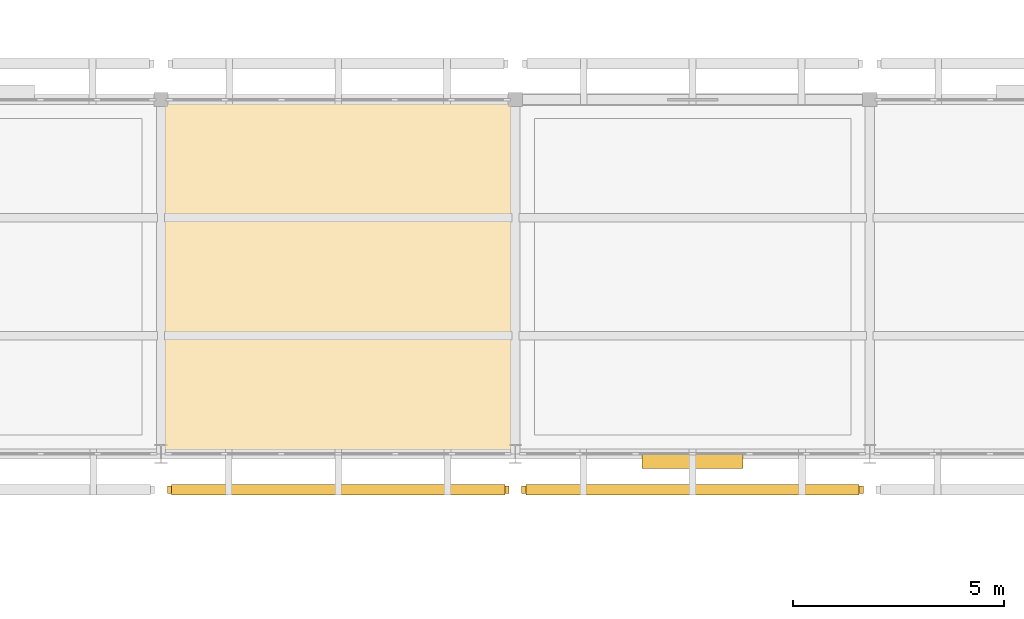
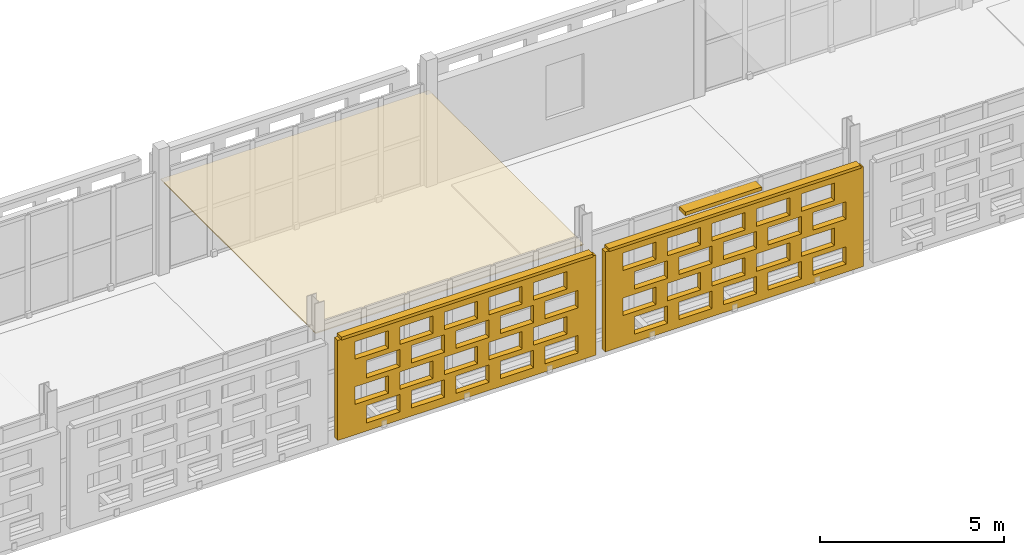
# One storey, part 120 of 140: 3 coverings, 3 shading devices, 40 openings.
"""IFC4 building model written with IfcOpenShell, lengths in metres."""

from ifc_helpers import new_model, si_unit, direction, frame, frame_2d, origin, origin_2d, place, context, subcontext, project, spatial, rectangle, extrude, material, layer, layer_set, type_object, element, save


model = new_model("IFC4")

# Units and contexts
model_context = context("Model", 3, precision=1e-05, world=origin(), true_north=direction((0.0, 1.0)))
body_context = subcontext(model_context, "Body", "Model", "MODEL_VIEW")
ifc_project = project(units=[si_unit("LENGTHUNIT", "METRE"), si_unit("AREAUNIT", "SQUARE_METRE"), si_unit("VOLUMEUNIT", "CUBIC_METRE"), si_unit("PLANEANGLEUNIT", "RADIAN"), si_unit("MASSUNIT", "GRAM", prefix="KILO")], contexts=[model_context])

# Site, building, storey
site_placement = place(None, origin())
site = spatial("IfcSite", under=ifc_project, at=site_placement, CompositionType="ELEMENT")
building_placement = place(site_placement, origin())
building = spatial("IfcBuilding", under=site, at=building_placement, Name="Varnapada Polytechnic", CompositionType="ELEMENT")
storey_placement = place(building_placement, frame((0.0, 0.0, 13.800048828125)))
storey = spatial("IfcBuildingStorey", under=building, at=storey_placement, Name="L03", CompositionType="ELEMENT", Elevation=13.800048828125)

# Shading device
ifc_material_1 = material(Name="Anodised aluminium", Category="aluminium")
ifc_layer_1 = layer(ifc_material_1, 0.35009765625)
ifc_layer_set_1 = layer_set([ifc_layer_1], Name="Anodised aluminium")
shading_device_type_1 = type_object("IfcShadingDeviceType", Name="Solar Louvre LVR-01", PredefinedType="JALOUSIE", material=ifc_layer_set_1)
shading_device_placement = place(storey_placement, frame((88.199951171875, 83.820068359375, 3.159912109375), z_axis=(0.0, 0.0, 1.0), x_axis=(-1.0, 0.0, 0.0)))
element("IfcShadingDevice", 1, at=shading_device_placement, inside=storey, type_object=shading_device_type_1, Name="L03 aluminium sun louvre 58", PredefinedType="JALOUSIE", context=body_context, shape_type="SweptSolid", body=[
    extrude(rectangle(XDim=2.39990234375, YDim=0.340087890625, at=origin_2d()), origin(), (0.0, 0.0, 1.0), 0.1201171875),
])

# Covering
ifc_material_2 = material(Name="Cleanroom Laboratory Metal Pan Ceiling")
ifc_layer_2 = layer(ifc_material_2, 0.034912109375)
ifc_layer_set_2 = layer_set([ifc_layer_2], Name="Cleanroom Laboratory Metal Pan Ceiling")
covering_type_1 = type_object("IfcCoveringType", Name="Suspended Ceiling CLG-06", PredefinedType="CEILING", material=ifc_layer_set_2)
covering_1_placement = place(storey_placement, frame((79.800048828125, 88.199951171875, 3.03271484375), z_axis=(0.0, 0.0, 1.0), x_axis=(1.0, 0.0, 0.0)))
element("IfcCovering", 2, at=covering_1_placement, inside=storey, type_object=covering_type_1, Name="L03 suspended acoustic ceiling (10,11)", PredefinedType="CEILING", context=body_context, shape_type="SweptSolid", body=[
    extrude(rectangle(XDim=8.419921875, YDim=8.419921875, at=origin_2d()), origin(), (0.0, 0.0, 1.0), 0.034912109375),
])

# Covering, openings
ifc_material_3 = material(Name="Earth-toned architectural terracotta screen block", Category="masonry")
ifc_layer_3 = layer(ifc_material_3, 0.1201171875)
ifc_layer_set_3 = layer_set([ifc_layer_3], Name="Earth-toned architectural terracotta screen block")
covering_type_2 = type_object("IfcCoveringType", Name="Terracotta Screen Cladding CLD-01", PredefinedType="CLADDING", material=ifc_layer_set_3)
covering_2_placement = place(storey_placement, frame((83.85009765625, 83.14990234375, 0.0), z_axis=(0.0, 0.0, 1.0), x_axis=(-1.0, 0.0, 0.0)))
covering_2 = element("IfcCovering", 3, at=covering_2_placement, inside=storey, type_object=covering_type_2, Name="L03 perforated terracotta block screen (56)", PredefinedType="CLADDING", context=body_context, shape_type="SweptSolid", body=[
    extrude(rectangle(XDim=8.10009765625, YDim=0.179931640625, at=frame_2d((4.050048828125, 0.0))), origin(), (0.0, 0.0, 1.0), 3.320068359375),
])
opening_1_placement = place(covering_2_placement, frame((0.550048828125, 0.0, 0.265625)))
element("IfcOpeningElement", 4, at=opening_1_placement, cuts=covering_2, Name="Screen perforation TBS-L03-055.1", PredefinedType="OPENING", context=body_context, shape_type="SweptSolid", body=[
    extrude(rectangle(XDim=1.0400390625, YDim=0.5810546875, at=frame_2d((0.52001953125, 0.29052734375))), frame((0.0, 0.099853515625, 0.0), z_axis=(0.0, -1.0, 0.0), x_axis=(1.0, 0.0, 0.0)), (0.0, 0.0, 1.0), 0.199951171875),
])
opening_2_placement = place(covering_2_placement, frame((1.949951171875, 0.0, 0.265625)))
element("IfcOpeningElement", 5, at=opening_2_placement, cuts=covering_2, Name="Screen perforation TBS-L03-055.2", PredefinedType="OPENING", context=body_context, shape_type="SweptSolid", body=[
    extrude(rectangle(XDim=1.0400390625, YDim=0.5810546875, at=frame_2d((0.52001953125, 0.29052734375))), frame((0.0, 0.099853515625, 0.0), z_axis=(0.0, -1.0, 0.0), x_axis=(1.0, 0.0, 0.0)), (0.0, 0.0, 1.0), 0.199951171875),
])
opening_3_placement = place(covering_2_placement, frame((3.35009765625, 0.0, 0.265625)))
element("IfcOpeningElement", 6, at=opening_3_placement, cuts=covering_2, Name="Screen perforation TBS-L03-055.3", PredefinedType="OPENING", context=body_context, shape_type="SweptSolid", body=[
    extrude(rectangle(XDim=1.0400390625, YDim=0.5810546875, at=frame_2d((0.52001953125, 0.29052734375))), frame((0.0, 0.099853515625, 0.0), z_axis=(0.0, -1.0, 0.0), x_axis=(1.0, 0.0, 0.0)), (0.0, 0.0, 1.0), 0.199951171875),
])
opening_4_placement = place(covering_2_placement, frame((4.75, 0.0, 0.265625)))
element("IfcOpeningElement", 7, at=opening_4_placement, cuts=covering_2, Name="Screen perforation TBS-L03-055.4", PredefinedType="OPENING", context=body_context, shape_type="SweptSolid", body=[
    extrude(rectangle(XDim=1.0400390625, YDim=0.5810546875, at=frame_2d((0.52001953125, 0.29052734375))), frame((0.0, 0.099853515625, 0.0), z_axis=(0.0, -1.0, 0.0), x_axis=(1.0, 0.0, 0.0)), (0.0, 0.0, 1.0), 0.199951171875),
])
opening_5_placement = place(covering_2_placement, frame((6.14990234375, 0.0, 0.265625)))
element("IfcOpeningElement", 8, at=opening_5_placement, cuts=covering_2, Name="Screen perforation TBS-L03-055.5", PredefinedType="OPENING", context=body_context, shape_type="SweptSolid", body=[
    extrude(rectangle(XDim=1.0400390625, YDim=0.5810546875, at=frame_2d((0.52001953125, 0.29052734375))), frame((0.0, 0.099853515625, 0.0), z_axis=(0.0, -1.0, 0.0), x_axis=(1.0, 0.0, 0.0)), (0.0, 0.0, 1.0), 0.199951171875),
])
opening_6_placement = place(covering_2_placement, frame((0.909912109375, 0.0, 1.0126953125)))
element("IfcOpeningElement", 9, at=opening_6_placement, cuts=covering_2, Name="Screen perforation TBS-L03-055.6", PredefinedType="OPENING", context=body_context, shape_type="SweptSolid", body=[
    extrude(rectangle(XDim=1.0400390625, YDim=0.5810546875, at=frame_2d((0.52001953125, 0.29052734375))), frame((0.0, 0.099853515625, 0.0), z_axis=(0.0, -1.0, 0.0), x_axis=(1.0, 0.0, 0.0)), (0.0, 0.0, 1.0), 0.199951171875),
])
opening_7_placement = place(covering_2_placement, frame((2.31005859375, 0.0, 1.0126953125)))
element("IfcOpeningElement", 10, at=opening_7_placement, cuts=covering_2, Name="Screen perforation TBS-L03-055.7", PredefinedType="OPENING", context=body_context, shape_type="SweptSolid", body=[
    extrude(rectangle(XDim=1.0400390625, YDim=0.5810546875, at=frame_2d((0.52001953125, 0.29052734375))), frame((0.0, 0.099853515625, 0.0), z_axis=(0.0, -1.0, 0.0), x_axis=(1.0, 0.0, 0.0)), (0.0, 0.0, 1.0), 0.199951171875),
])
opening_8_placement = place(covering_2_placement, frame((3.7099609375, 0.0, 1.0126953125)))
element("IfcOpeningElement", 11, at=opening_8_placement, cuts=covering_2, Name="Screen perforation TBS-L03-055.8", PredefinedType="OPENING", context=body_context, shape_type="SweptSolid", body=[
    extrude(rectangle(XDim=1.0400390625, YDim=0.5810546875, at=frame_2d((0.52001953125, 0.29052734375))), frame((0.0, 0.099853515625, 0.0), z_axis=(0.0, -1.0, 0.0), x_axis=(1.0, 0.0, 0.0)), (0.0, 0.0, 1.0), 0.199951171875),
])
opening_9_placement = place(covering_2_placement, frame((5.110107421875, 0.0, 1.0126953125)))
element("IfcOpeningElement", 12, at=opening_9_placement, cuts=covering_2, Name="Screen perforation TBS-L03-055.9", PredefinedType="OPENING", context=body_context, shape_type="SweptSolid", body=[
    extrude(rectangle(XDim=1.0400390625, YDim=0.5810546875, at=frame_2d((0.52001953125, 0.29052734375))), frame((0.0, 0.099853515625, 0.0), z_axis=(0.0, -1.0, 0.0), x_axis=(1.0, 0.0, 0.0)), (0.0, 0.0, 1.0), 0.199951171875),
])
opening_10_placement = place(covering_2_placement, frame((6.510009765625, 0.0, 1.0126953125)))
element("IfcOpeningElement", 13, at=opening_10_placement, cuts=covering_2, Name="Screen perforation TBS-L03-055.10", PredefinedType="OPENING", context=body_context, shape_type="SweptSolid", body=[
    extrude(rectangle(XDim=1.0400390625, YDim=0.5810546875, at=frame_2d((0.52001953125, 0.29052734375))), frame((0.0, 0.099853515625, 0.0), z_axis=(0.0, -1.0, 0.0), x_axis=(1.0, 0.0, 0.0)), (0.0, 0.0, 1.0), 0.199951171875),
])
opening_11_placement = place(covering_2_placement, frame((0.550048828125, 0.0, 1.759521484375)))
element("IfcOpeningElement", 14, at=opening_11_placement, cuts=covering_2, Name="Screen perforation TBS-L03-055.11", PredefinedType="OPENING", context=body_context, shape_type="SweptSolid", body=[
    extrude(rectangle(XDim=1.0400390625, YDim=0.5810546875, at=frame_2d((0.52001953125, 0.29052734375))), frame((0.0, 0.099853515625, 0.0), z_axis=(0.0, -1.0, 0.0), x_axis=(1.0, 0.0, 0.0)), (0.0, 0.0, 1.0), 0.199951171875),
])
opening_12_placement = place(covering_2_placement, frame((1.949951171875, 0.0, 1.759521484375)))
element("IfcOpeningElement", 15, at=opening_12_placement, cuts=covering_2, Name="Screen perforation TBS-L03-055.12", PredefinedType="OPENING", context=body_context, shape_type="SweptSolid", body=[
    extrude(rectangle(XDim=1.0400390625, YDim=0.5810546875, at=frame_2d((0.52001953125, 0.29052734375))), frame((0.0, 0.099853515625, 0.0), z_axis=(0.0, -1.0, 0.0), x_axis=(1.0, 0.0, 0.0)), (0.0, 0.0, 1.0), 0.199951171875),
])
opening_13_placement = place(covering_2_placement, frame((3.35009765625, 0.0, 1.759521484375)))
element("IfcOpeningElement", 16, at=opening_13_placement, cuts=covering_2, Name="Screen perforation TBS-L03-055.13", PredefinedType="OPENING", context=body_context, shape_type="SweptSolid", body=[
    extrude(rectangle(XDim=1.0400390625, YDim=0.5810546875, at=frame_2d((0.52001953125, 0.29052734375))), frame((0.0, 0.099853515625, 0.0), z_axis=(0.0, -1.0, 0.0), x_axis=(1.0, 0.0, 0.0)), (0.0, 0.0, 1.0), 0.199951171875),
])
opening_14_placement = place(covering_2_placement, frame((4.75, 0.0, 1.759521484375)))
element("IfcOpeningElement", 17, at=opening_14_placement, cuts=covering_2, Name="Screen perforation TBS-L03-055.14", PredefinedType="OPENING", context=body_context, shape_type="SweptSolid", body=[
    extrude(rectangle(XDim=1.0400390625, YDim=0.5810546875, at=frame_2d((0.52001953125, 0.29052734375))), frame((0.0, 0.099853515625, 0.0), z_axis=(0.0, -1.0, 0.0), x_axis=(1.0, 0.0, 0.0)), (0.0, 0.0, 1.0), 0.199951171875),
])
opening_15_placement = place(covering_2_placement, frame((6.14990234375, 0.0, 1.759521484375)))
element("IfcOpeningElement", 18, at=opening_15_placement, cuts=covering_2, Name="Screen perforation TBS-L03-055.15", PredefinedType="OPENING", context=body_context, shape_type="SweptSolid", body=[
    extrude(rectangle(XDim=1.0400390625, YDim=0.5810546875, at=frame_2d((0.52001953125, 0.29052734375))), frame((0.0, 0.099853515625, 0.0), z_axis=(0.0, -1.0, 0.0), x_axis=(1.0, 0.0, 0.0)), (0.0, 0.0, 1.0), 0.199951171875),
])
opening_16_placement = place(covering_2_placement, frame((0.909912109375, 0.0, 2.506591796875)))
element("IfcOpeningElement", 19, at=opening_16_placement, cuts=covering_2, Name="Screen perforation TBS-L03-055.16", PredefinedType="OPENING", context=body_context, shape_type="SweptSolid", body=[
    extrude(rectangle(XDim=1.0400390625, YDim=0.5810546875, at=frame_2d((0.52001953125, 0.29052734375))), frame((0.0, 0.099853515625, 0.0), z_axis=(0.0, -1.0, 0.0), x_axis=(1.0, 0.0, 0.0)), (0.0, 0.0, 1.0), 0.199951171875),
])
opening_17_placement = place(covering_2_placement, frame((2.31005859375, 0.0, 2.506591796875)))
element("IfcOpeningElement", 20, at=opening_17_placement, cuts=covering_2, Name="Screen perforation TBS-L03-055.17", PredefinedType="OPENING", context=body_context, shape_type="SweptSolid", body=[
    extrude(rectangle(XDim=1.0400390625, YDim=0.5810546875, at=frame_2d((0.52001953125, 0.29052734375))), frame((0.0, 0.099853515625, 0.0), z_axis=(0.0, -1.0, 0.0), x_axis=(1.0, 0.0, 0.0)), (0.0, 0.0, 1.0), 0.199951171875),
])
opening_18_placement = place(covering_2_placement, frame((3.7099609375, 0.0, 2.506591796875)))
element("IfcOpeningElement", 21, at=opening_18_placement, cuts=covering_2, Name="Screen perforation TBS-L03-055.18", PredefinedType="OPENING", context=body_context, shape_type="SweptSolid", body=[
    extrude(rectangle(XDim=1.0400390625, YDim=0.5810546875, at=frame_2d((0.52001953125, 0.29052734375))), frame((0.0, 0.099853515625, 0.0), z_axis=(0.0, -1.0, 0.0), x_axis=(1.0, 0.0, 0.0)), (0.0, 0.0, 1.0), 0.199951171875),
])
opening_19_placement = place(covering_2_placement, frame((5.110107421875, 0.0, 2.506591796875)))
element("IfcOpeningElement", 22, at=opening_19_placement, cuts=covering_2, Name="Screen perforation TBS-L03-055.19", PredefinedType="OPENING", context=body_context, shape_type="SweptSolid", body=[
    extrude(rectangle(XDim=1.0400390625, YDim=0.5810546875, at=frame_2d((0.52001953125, 0.29052734375))), frame((0.0, 0.099853515625, 0.0), z_axis=(0.0, -1.0, 0.0), x_axis=(1.0, 0.0, 0.0)), (0.0, 0.0, 1.0), 0.199951171875),
])
opening_20_placement = place(covering_2_placement, frame((6.510009765625, 0.0, 2.506591796875)))
element("IfcOpeningElement", 23, at=opening_20_placement, cuts=covering_2, Name="Screen perforation TBS-L03-055.20", PredefinedType="OPENING", context=body_context, shape_type="SweptSolid", body=[
    extrude(rectangle(XDim=1.0400390625, YDim=0.5810546875, at=frame_2d((0.52001953125, 0.29052734375))), frame((0.0, 0.099853515625, 0.0), z_axis=(0.0, -1.0, 0.0), x_axis=(1.0, 0.0, 0.0)), (0.0, 0.0, 1.0), 0.199951171875),
])

covering_3_placement = place(storey_placement, frame((92.25, 83.14990234375, 0.0), z_axis=(0.0, 0.0, 1.0), x_axis=(-1.0, 0.0, 0.0)))
covering_3 = element("IfcCovering", 24, at=covering_3_placement, inside=storey, type_object=covering_type_2, Name="L03 perforated terracotta block screen (58)", PredefinedType="CLADDING", context=body_context, shape_type="SweptSolid", body=[
    extrude(rectangle(XDim=8.10009765625, YDim=0.179931640625, at=frame_2d((4.050048828125, 0.0))), origin(), (0.0, 0.0, 1.0), 3.320068359375),
])
opening_21_placement = place(covering_3_placement, frame((0.550048828125, 0.0, 0.265625)))
element("IfcOpeningElement", 25, at=opening_21_placement, cuts=covering_3, Name="Screen perforation TBS-L03-057.1", PredefinedType="OPENING", context=body_context, shape_type="SweptSolid", body=[
    extrude(rectangle(XDim=1.0400390625, YDim=0.5810546875, at=frame_2d((0.52001953125, 0.29052734375))), frame((0.0, 0.099853515625, 0.0), z_axis=(0.0, -1.0, 0.0), x_axis=(1.0, 0.0, 0.0)), (0.0, 0.0, 1.0), 0.199951171875),
])
opening_22_placement = place(covering_3_placement, frame((1.949951171875, 0.0, 0.265625)))
element("IfcOpeningElement", 26, at=opening_22_placement, cuts=covering_3, Name="Screen perforation TBS-L03-057.2", PredefinedType="OPENING", context=body_context, shape_type="SweptSolid", body=[
    extrude(rectangle(XDim=1.0400390625, YDim=0.5810546875, at=frame_2d((0.52001953125, 0.29052734375))), frame((0.0, 0.099853515625, 0.0), z_axis=(0.0, -1.0, 0.0), x_axis=(1.0, 0.0, 0.0)), (0.0, 0.0, 1.0), 0.199951171875),
])
opening_23_placement = place(covering_3_placement, frame((3.35009765625, 0.0, 0.265625)))
element("IfcOpeningElement", 27, at=opening_23_placement, cuts=covering_3, Name="Screen perforation TBS-L03-057.3", PredefinedType="OPENING", context=body_context, shape_type="SweptSolid", body=[
    extrude(rectangle(XDim=1.0400390625, YDim=0.5810546875, at=frame_2d((0.52001953125, 0.29052734375))), frame((0.0, 0.099853515625, 0.0), z_axis=(0.0, -1.0, 0.0), x_axis=(1.0, 0.0, 0.0)), (0.0, 0.0, 1.0), 0.199951171875),
])
opening_24_placement = place(covering_3_placement, frame((4.75, 0.0, 0.265625)))
element("IfcOpeningElement", 28, at=opening_24_placement, cuts=covering_3, Name="Screen perforation TBS-L03-057.4", PredefinedType="OPENING", context=body_context, shape_type="SweptSolid", body=[
    extrude(rectangle(XDim=1.0400390625, YDim=0.5810546875, at=frame_2d((0.52001953125, 0.29052734375))), frame((0.0, 0.099853515625, 0.0), z_axis=(0.0, -1.0, 0.0), x_axis=(1.0, 0.0, 0.0)), (0.0, 0.0, 1.0), 0.199951171875),
])
opening_25_placement = place(covering_3_placement, frame((6.14990234375, 0.0, 0.265625)))
element("IfcOpeningElement", 29, at=opening_25_placement, cuts=covering_3, Name="Screen perforation TBS-L03-057.5", PredefinedType="OPENING", context=body_context, shape_type="SweptSolid", body=[
    extrude(rectangle(XDim=1.0400390625, YDim=0.5810546875, at=frame_2d((0.52001953125, 0.29052734375))), frame((0.0, 0.099853515625, 0.0), z_axis=(0.0, -1.0, 0.0), x_axis=(1.0, 0.0, 0.0)), (0.0, 0.0, 1.0), 0.199951171875),
])
opening_26_placement = place(covering_3_placement, frame((0.909912109375, 0.0, 1.0126953125)))
element("IfcOpeningElement", 30, at=opening_26_placement, cuts=covering_3, Name="Screen perforation TBS-L03-057.6", PredefinedType="OPENING", context=body_context, shape_type="SweptSolid", body=[
    extrude(rectangle(XDim=1.0400390625, YDim=0.5810546875, at=frame_2d((0.52001953125, 0.29052734375))), frame((0.0, 0.099853515625, 0.0), z_axis=(0.0, -1.0, 0.0), x_axis=(1.0, 0.0, 0.0)), (0.0, 0.0, 1.0), 0.199951171875),
])
opening_27_placement = place(covering_3_placement, frame((2.31005859375, 0.0, 1.0126953125)))
element("IfcOpeningElement", 31, at=opening_27_placement, cuts=covering_3, Name="Screen perforation TBS-L03-057.7", PredefinedType="OPENING", context=body_context, shape_type="SweptSolid", body=[
    extrude(rectangle(XDim=1.0400390625, YDim=0.5810546875, at=frame_2d((0.52001953125, 0.29052734375))), frame((0.0, 0.099853515625, 0.0), z_axis=(0.0, -1.0, 0.0), x_axis=(1.0, 0.0, 0.0)), (0.0, 0.0, 1.0), 0.199951171875),
])
opening_28_placement = place(covering_3_placement, frame((3.7099609375, 0.0, 1.0126953125)))
element("IfcOpeningElement", 32, at=opening_28_placement, cuts=covering_3, Name="Screen perforation TBS-L03-057.8", PredefinedType="OPENING", context=body_context, shape_type="SweptSolid", body=[
    extrude(rectangle(XDim=1.0400390625, YDim=0.5810546875, at=frame_2d((0.52001953125, 0.29052734375))), frame((0.0, 0.099853515625, 0.0), z_axis=(0.0, -1.0, 0.0), x_axis=(1.0, 0.0, 0.0)), (0.0, 0.0, 1.0), 0.199951171875),
])
opening_29_placement = place(covering_3_placement, frame((5.110107421875, 0.0, 1.0126953125)))
element("IfcOpeningElement", 33, at=opening_29_placement, cuts=covering_3, Name="Screen perforation TBS-L03-057.9", PredefinedType="OPENING", context=body_context, shape_type="SweptSolid", body=[
    extrude(rectangle(XDim=1.0400390625, YDim=0.5810546875, at=frame_2d((0.52001953125, 0.29052734375))), frame((0.0, 0.099853515625, 0.0), z_axis=(0.0, -1.0, 0.0), x_axis=(1.0, 0.0, 0.0)), (0.0, 0.0, 1.0), 0.199951171875),
])
opening_30_placement = place(covering_3_placement, frame((6.510009765625, 0.0, 1.0126953125)))
element("IfcOpeningElement", 34, at=opening_30_placement, cuts=covering_3, Name="Screen perforation TBS-L03-057.10", PredefinedType="OPENING", context=body_context, shape_type="SweptSolid", body=[
    extrude(rectangle(XDim=1.0400390625, YDim=0.5810546875, at=frame_2d((0.52001953125, 0.29052734375))), frame((0.0, 0.099853515625, 0.0), z_axis=(0.0, -1.0, 0.0), x_axis=(1.0, 0.0, 0.0)), (0.0, 0.0, 1.0), 0.199951171875),
])
opening_31_placement = place(covering_3_placement, frame((0.550048828125, 0.0, 1.759521484375)))
element("IfcOpeningElement", 35, at=opening_31_placement, cuts=covering_3, Name="Screen perforation TBS-L03-057.11", PredefinedType="OPENING", context=body_context, shape_type="SweptSolid", body=[
    extrude(rectangle(XDim=1.0400390625, YDim=0.5810546875, at=frame_2d((0.52001953125, 0.29052734375))), frame((0.0, 0.099853515625, 0.0), z_axis=(0.0, -1.0, 0.0), x_axis=(1.0, 0.0, 0.0)), (0.0, 0.0, 1.0), 0.199951171875),
])
opening_32_placement = place(covering_3_placement, frame((1.949951171875, 0.0, 1.759521484375)))
element("IfcOpeningElement", 36, at=opening_32_placement, cuts=covering_3, Name="Screen perforation TBS-L03-057.12", PredefinedType="OPENING", context=body_context, shape_type="SweptSolid", body=[
    extrude(rectangle(XDim=1.0400390625, YDim=0.5810546875, at=frame_2d((0.52001953125, 0.29052734375))), frame((0.0, 0.099853515625, 0.0), z_axis=(0.0, -1.0, 0.0), x_axis=(1.0, 0.0, 0.0)), (0.0, 0.0, 1.0), 0.199951171875),
])
opening_33_placement = place(covering_3_placement, frame((3.35009765625, 0.0, 1.759521484375)))
element("IfcOpeningElement", 37, at=opening_33_placement, cuts=covering_3, Name="Screen perforation TBS-L03-057.13", PredefinedType="OPENING", context=body_context, shape_type="SweptSolid", body=[
    extrude(rectangle(XDim=1.0400390625, YDim=0.5810546875, at=frame_2d((0.52001953125, 0.29052734375))), frame((0.0, 0.099853515625, 0.0), z_axis=(0.0, -1.0, 0.0), x_axis=(1.0, 0.0, 0.0)), (0.0, 0.0, 1.0), 0.199951171875),
])
opening_34_placement = place(covering_3_placement, frame((4.75, 0.0, 1.759521484375)))
element("IfcOpeningElement", 38, at=opening_34_placement, cuts=covering_3, Name="Screen perforation TBS-L03-057.14", PredefinedType="OPENING", context=body_context, shape_type="SweptSolid", body=[
    extrude(rectangle(XDim=1.0400390625, YDim=0.5810546875, at=frame_2d((0.52001953125, 0.29052734375))), frame((0.0, 0.099853515625, 0.0), z_axis=(0.0, -1.0, 0.0), x_axis=(1.0, 0.0, 0.0)), (0.0, 0.0, 1.0), 0.199951171875),
])
opening_35_placement = place(covering_3_placement, frame((6.14990234375, 0.0, 1.759521484375)))
element("IfcOpeningElement", 39, at=opening_35_placement, cuts=covering_3, Name="Screen perforation TBS-L03-057.15", PredefinedType="OPENING", context=body_context, shape_type="SweptSolid", body=[
    extrude(rectangle(XDim=1.0400390625, YDim=0.5810546875, at=frame_2d((0.52001953125, 0.29052734375))), frame((0.0, 0.099853515625, 0.0), z_axis=(0.0, -1.0, 0.0), x_axis=(1.0, 0.0, 0.0)), (0.0, 0.0, 1.0), 0.199951171875),
])
opening_36_placement = place(covering_3_placement, frame((0.909912109375, 0.0, 2.506591796875)))
element("IfcOpeningElement", 40, at=opening_36_placement, cuts=covering_3, Name="Screen perforation TBS-L03-057.16", PredefinedType="OPENING", context=body_context, shape_type="SweptSolid", body=[
    extrude(rectangle(XDim=1.0400390625, YDim=0.5810546875, at=frame_2d((0.52001953125, 0.29052734375))), frame((0.0, 0.099853515625, 0.0), z_axis=(0.0, -1.0, 0.0), x_axis=(1.0, 0.0, 0.0)), (0.0, 0.0, 1.0), 0.199951171875),
])
opening_37_placement = place(covering_3_placement, frame((2.31005859375, 0.0, 2.506591796875)))
element("IfcOpeningElement", 41, at=opening_37_placement, cuts=covering_3, Name="Screen perforation TBS-L03-057.17", PredefinedType="OPENING", context=body_context, shape_type="SweptSolid", body=[
    extrude(rectangle(XDim=1.0400390625, YDim=0.5810546875, at=frame_2d((0.52001953125, 0.29052734375))), frame((0.0, 0.099853515625, 0.0), z_axis=(0.0, -1.0, 0.0), x_axis=(1.0, 0.0, 0.0)), (0.0, 0.0, 1.0), 0.199951171875),
])
opening_38_placement = place(covering_3_placement, frame((3.7099609375, 0.0, 2.506591796875)))
element("IfcOpeningElement", 42, at=opening_38_placement, cuts=covering_3, Name="Screen perforation TBS-L03-057.18", PredefinedType="OPENING", context=body_context, shape_type="SweptSolid", body=[
    extrude(rectangle(XDim=1.0400390625, YDim=0.5810546875, at=frame_2d((0.52001953125, 0.29052734375))), frame((0.0, 0.099853515625, 0.0), z_axis=(0.0, -1.0, 0.0), x_axis=(1.0, 0.0, 0.0)), (0.0, 0.0, 1.0), 0.199951171875),
])
opening_39_placement = place(covering_3_placement, frame((5.110107421875, 0.0, 2.506591796875)))
element("IfcOpeningElement", 43, at=opening_39_placement, cuts=covering_3, Name="Screen perforation TBS-L03-057.19", PredefinedType="OPENING", context=body_context, shape_type="SweptSolid", body=[
    extrude(rectangle(XDim=1.0400390625, YDim=0.5810546875, at=frame_2d((0.52001953125, 0.29052734375))), frame((0.0, 0.099853515625, 0.0), z_axis=(0.0, -1.0, 0.0), x_axis=(1.0, 0.0, 0.0)), (0.0, 0.0, 1.0), 0.199951171875),
])
opening_40_placement = place(covering_3_placement, frame((6.510009765625, 0.0, 2.506591796875)))
element("IfcOpeningElement", 44, at=opening_40_placement, cuts=covering_3, Name="Screen perforation TBS-L03-057.20", PredefinedType="OPENING", context=body_context, shape_type="SweptSolid", body=[
    extrude(rectangle(XDim=1.0400390625, YDim=0.5810546875, at=frame_2d((0.52001953125, 0.29052734375))), frame((0.0, 0.099853515625, 0.0), z_axis=(0.0, -1.0, 0.0), x_axis=(1.0, 0.0, 0.0)), (0.0, 0.0, 1.0), 0.199951171875),
])

# Shading devices
ifc_layer_4 = layer(ifc_material_3, 0.179931640625)
ifc_layer_set_4 = layer_set([ifc_layer_4], Name="Earth-toned architectural terracotta screen block")
shading_device_type_2 = type_object("IfcShadingDeviceType", Name="Terracotta Screen SCR-01", PredefinedType="USERDEFINED", material=ifc_layer_set_4)
for number, where, z_axis, x_axis, name in (
    (45, (79.800048828125, 83.14990234375, 3.309814453125), (0.0, 0.0, 1.0), (-1.0, 0.0, 0.0), "L03 perforated terracotta screen hood 386"),
    (46, (88.199951171875, 83.14990234375, 3.309814453125), (0.0, 0.0, 1.0), (-1.0, 0.0, 0.0), "L03 perforated terracotta screen hood 388"),
):
    element("IfcShadingDevice", number, at=place(storey_placement, frame(where, z_axis=z_axis, x_axis=x_axis)), inside=storey, type_object=shading_device_type_2, Name=name, ObjectType="SCREEN", PredefinedType="USERDEFINED", context=body_context, shape_type="SweptSolid", body=[
        extrude(rectangle(XDim=7.89990234375, YDim=0.239990234375, at=origin_2d()), origin(), (0.0, 0.0, 1.0), 0.10009765625),
    ])

save(model, "model.ifc")
